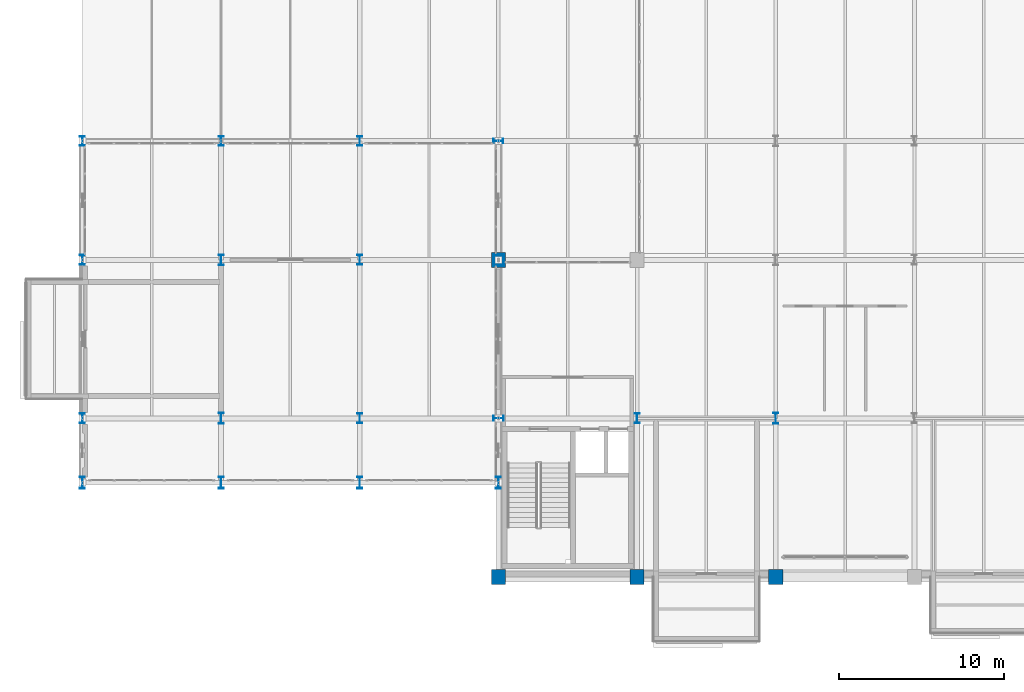
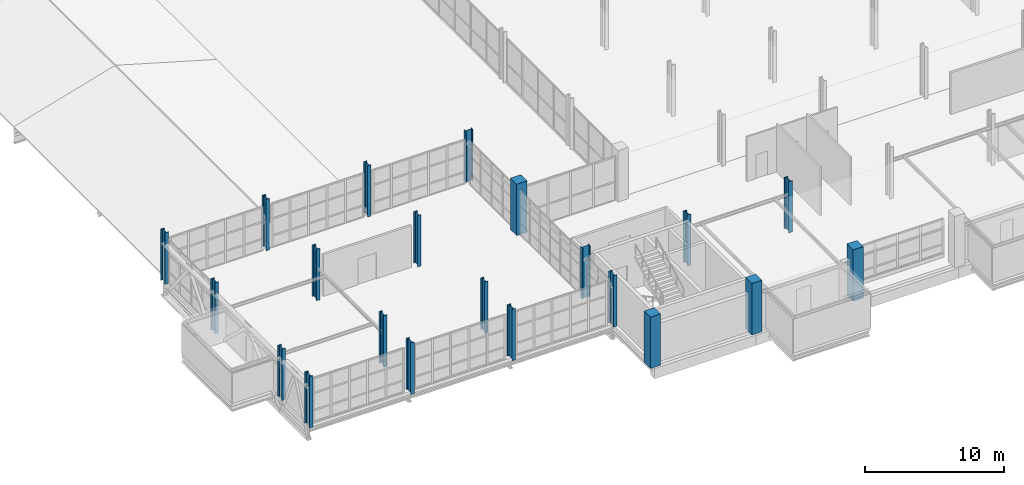
# One storey, part 1 of 130: 21 columns.
"""IFC4 building model written with IfcOpenShell, lengths in metres."""

import ifcopenshell
import ifcopenshell.guid

model = None  # the IFC model being written
_history = None  # IfcOwnerHistory: only IFC2X3 demands one
_inside = {}  # id of a spatial element -> (the spatial element, [elements in it])
_under = {}  # id of a project, library or spatial element -> (it, [spatial elements below it])
_declared = {}  # id of a project -> (the project, [libraries it declares])
_typed = {}  # id of a type object -> (the type object, [elements of that type])
_made_of = {}  # id of a material, layer set ... -> (it, [elements and type objects made of it])


def new_model(schema):
    """Start an empty IFC model of exactly this schema.

    Asked for "IFC4X3", IfcOpenShell would pick the latest addendum, in which some entities
    have other attributes; the version numbers below select the first issue.
    IFC2X3 requires an IfcOwnerHistory on every rooted entity: one is made here for all.
    """
    global model, _history
    if schema == "IFC4X3":
        model = ifcopenshell.file(schema_version=(4, 3, 0, 0))
    else:
        model = ifcopenshell.file(schema=schema)
    _inside.clear()
    _under.clear()
    _declared.clear()
    _typed.clear()
    _made_of.clear()
    _history = None
    if model.schema == "IFC2X3":
        org = make("IfcOrganization", Name="unknown")
        user = make(
            "IfcPersonAndOrganization",
            ThePerson=make("IfcPerson", FamilyName="unknown"),
            TheOrganization=org,
        )
        app = make(
            "IfcApplication",
            ApplicationDeveloper=org,
            Version="unknown",
            ApplicationFullName="unknown",
            ApplicationIdentifier="unknown",
        )
        _history = make(
            "IfcOwnerHistory",
            OwningUser=user,
            OwningApplication=app,
            ChangeAction="ADDED",
            CreationDate=0,
        )
    return model


def make(cls, **values):
    """One entity of the class cls with the attributes given. An attribute that is None is left unset."""
    return model.create_entity(
        cls, **{name: value for name, value in values.items() if value is not None}
    )


def rooted(cls, **values):
    """An entity with a GlobalId (a new one), such as an element, a storey or a relation."""
    return make(cls, GlobalId=ifcopenshell.guid.new(), OwnerHistory=_history, **values)


def si_unit(unit_type, name, prefix=None):
    """IfcSIUnit, for example si_unit("LENGTHUNIT", "METRE", prefix="MILLI")."""
    return make("IfcSIUnit", UnitType=unit_type, Prefix=prefix, Name=name)


def assignment(units):
    """IfcUnitAssignment: the units of a project."""
    return None if units is None else make("IfcUnitAssignment", Units=units)


def point(xyz):
    """IfcCartesianPoint."""
    return None if xyz is None else make("IfcCartesianPoint", Coordinates=xyz)


def direction(xyz):
    """IfcDirection."""
    return None if xyz is None else make("IfcDirection", DirectionRatios=xyz)


def frame(location, z_axis=None, x_axis=None):
    """IfcAxis2Placement3D, a coordinate frame: its origin and axes. An axis left out is left unset."""
    return make(
        "IfcAxis2Placement3D",
        Location=point(location),
        Axis=direction(z_axis),
        RefDirection=direction(x_axis),
    )


def frame_2d(location, x_axis=None):
    """IfcAxis2Placement2D, a coordinate frame in the plane: its origin and x axis."""
    return make(
        "IfcAxis2Placement2D", Location=point(location), RefDirection=direction(x_axis)
    )


def origin():
    """The frame at (0, 0, 0) with its axes left unset."""
    return frame((0.0, 0.0, 0.0))


def origin_2d():
    """The frame at (0, 0) in the plane with its x axis left unset."""
    return frame_2d((0.0, 0.0))


def place(relative_to, where):
    """IfcLocalPlacement: puts the frame where relative to a parent placement (None: the world)."""
    return make(
        "IfcLocalPlacement", PlacementRelTo=relative_to, RelativePlacement=where
    )


def context(
    kind, dimensions, precision=None, world=None, true_north=None, identifier=None
):
    """IfcGeometricRepresentationContext, for example the 3D "Model" context."""
    return make(
        "IfcGeometricRepresentationContext",
        ContextIdentifier=identifier,
        ContextType=kind,
        CoordinateSpaceDimension=dimensions,
        Precision=precision,
        WorldCoordinateSystem=world,
        TrueNorth=true_north,
    )


def subcontext(parent, identifier, kind, view, scale=None):
    """IfcGeometricRepresentationSubContext, for example "Body" below "Model"."""
    return make(
        "IfcGeometricRepresentationSubContext",
        ContextIdentifier=identifier,
        ContextType=kind,
        ParentContext=parent,
        TargetScale=scale,
        TargetView=view,
    )


def project(units=None, contexts=None):
    """IfcProject with its units and contexts."""
    return rooted(
        "IfcProject",
        Name="project",
        RepresentationContexts=contexts,
        UnitsInContext=assignment(units),
    )


def spatial(cls, under=None, at=None, **own):
    """A site, building, storey or space (cls), placed at a placement, below another one or the project."""
    s = rooted(cls, ObjectPlacement=at, **own)
    if under is not None:
        _under.setdefault(under.id(), (under, []))[1].append(s)
    return s


def profile(cls, at=None, kind="AREA", **sizes):
    """A parametric profile (cls). Its sizes go by their IFC names, for example OverallWidth=200.0."""
    return make(cls, ProfileType=kind, Position=at, **sizes)


def rectangle(**sizes):
    """IfcRectangleProfileDef."""
    return profile("IfcRectangleProfileDef", **sizes)


def i_section(**sizes):
    """IfcIShapeProfileDef."""
    return profile("IfcIShapeProfileDef", **sizes)


def extrude(swept, where, along, depth):
    """IfcExtrudedAreaSolid: the profile swept, set in the frame where, extruded along a direction by depth."""
    return make(
        "IfcExtrudedAreaSolid",
        SweptArea=swept,
        Position=where,
        ExtrudedDirection=direction(along),
        Depth=depth,
    )


def shape(context_of_items, identifier, shape_type, items):
    """IfcShapeRepresentation: the items that make up one representation, for example the "Body"."""
    return make(
        "IfcShapeRepresentation",
        ContextOfItems=context_of_items,
        RepresentationIdentifier=identifier,
        RepresentationType=shape_type,
        Items=items,
    )


def material(Name=None, Category=None):
    """IfcMaterial."""
    return make("IfcMaterial", Name=Name, Category=Category)


def material_profile(
    of_material, cross_section, Name=None, Category=None, Priority=None
):
    """IfcMaterialProfile: a cross section and its material."""
    return make(
        "IfcMaterialProfile",
        Name=Name,
        Material=of_material,
        Profile=cross_section,
        Priority=Priority,
        Category=Category,
    )


def profile_set(profiles, Name=None, composite=None):
    """IfcMaterialProfileSet."""
    return make(
        "IfcMaterialProfileSet",
        Name=Name,
        MaterialProfiles=profiles,
        CompositeProfile=composite,
    )


def made_of(thing, what):
    """Note that an element or type object is made of a material, layer set ...; save() writes the relation."""
    if what is not None:
        _made_of.setdefault(what.id(), (what, []))[1].append(thing)
    return thing


def type_object(cls, material=None, **own):
    """A type object (cls), such as IfcWallType, which elements share."""
    return made_of(rooted(cls, **own), material)


def element(
    cls,
    number,
    at=None,
    inside=None,
    cuts=None,
    type_object=None,
    material=None,
    context=None,
    identifier="Body",
    shape_type=None,
    held_by="IfcProductDefinitionShape",
    body=None,
    shapes=None,
    **own,
):
    """One element of the class cls, such as IfcWall. Its Tag is "e" and its number.

    at: its placement. inside: the storey or other place that contains it. cuts: it is an
    opening in that element (IfcRelVoidsElement). A single representation is given by context,
    identifier, shape_type and body (its items); several are given by shapes. held_by: the class
    of the entity that holds the representations. save() writes the other relations.
    """
    e = rooted(cls, Tag="e%d" % number, ObjectPlacement=at, **own)
    if body is not None:
        shapes = [shape(context, identifier, shape_type, body)]
    if shapes is not None:
        e.Representation = make(held_by, Representations=shapes)
    if inside is not None:
        _inside.setdefault(inside.id(), (inside, []))[1].append(e)
    if cuts is not None:
        rooted(
            "IfcRelVoidsElement", RelatingBuildingElement=cuts, RelatedOpeningElement=e
        )
    if type_object is not None:
        _typed.setdefault(type_object.id(), (type_object, []))[1].append(e)
    return made_of(e, material)


def aggregate(whole, parts):
    """IfcRelAggregates: a whole, such as a stair, and the parts it consists of."""
    return rooted("IfcRelAggregates", RelatingObject=whole, RelatedObjects=parts)


def save(model, path):
    """Write the relations noted so far, then the file.

    IfcRelAggregates (storeys below a building ...), IfcRelContainedInSpatialStructure (elements
    in a storey), IfcRelDefinesByType, IfcRelAssociatesMaterial and IfcRelDeclares: one each for
    every whole, place, type object, material and project.
    """
    for whole, parts in _under.values():
        aggregate(whole, parts)
    for where, things in _inside.values():
        rooted(
            "IfcRelContainedInSpatialStructure",
            RelatedElements=things,
            RelatingStructure=where,
        )
    for kind, things in _typed.values():
        rooted("IfcRelDefinesByType", RelatedObjects=things, RelatingType=kind)
    for what, things in _made_of.values():
        rooted("IfcRelAssociatesMaterial", RelatedObjects=things, RelatingMaterial=what)
    for by, libraries in _declared.values():
        rooted("IfcRelDeclares", RelatingContext=by, RelatedDefinitions=libraries)
    model.write(path)


model = new_model("IFC4")

# Units and contexts
model_context = context("Model", 3, precision=1e-05, world=origin(), true_north=direction((0.0, 1.0)))
body_context = subcontext(model_context, "Body", "Model", "MODEL_VIEW")
ifc_project = project(units=[si_unit("LENGTHUNIT", "METRE"), si_unit("AREAUNIT", "SQUARE_METRE"), si_unit("VOLUMEUNIT", "CUBIC_METRE"), si_unit("PLANEANGLEUNIT", "RADIAN"), si_unit("MASSUNIT", "GRAM", prefix="KILO")], contexts=[model_context])

# Site, building, storey
site_placement = place(None, origin())
site = spatial("IfcSite", under=ifc_project, at=site_placement, CompositionType="ELEMENT")
building_placement = place(site_placement, origin())
building = spatial("IfcBuilding", under=site, at=building_placement, Name="Veltarok Museum of Natural Sciences", CompositionType="ELEMENT")
storey_placement = place(building_placement, frame((0.0, 0.0, 12.89990234375)))
storey = spatial("IfcBuildingStorey", under=building, at=storey_placement, Name="L02", CompositionType="ELEMENT", Elevation=12.89990234375)

# Columns
ifc_material_1 = material(Name="Concrete C40/50", Category="concrete")
ifc_material_profile_1 = material_profile(ifc_material_1, rectangle(XDim=0.85009765625, YDim=0.89990234375, at=origin_2d()), Name="RC 850x900")
ifc_profile_set_1 = profile_set([ifc_material_profile_1], Name="Concrete C40/50")
column_type_1 = type_object("IfcColumnType", Name="Exposed Cabinet Grid Column RC 850x900", PredefinedType="COLUMN", material=ifc_profile_set_1)
for number, where, z_axis, x_axis, name in (
    (1, (31.60009765625, 0.0, 0.0), (0.0, 0.0, 1.0), (1.0, 0.0, 0.0), "Column COL-CAB01 L02 4/A"),
    (2, (31.60009765625, 19.199951171875, 0.0), (0.0, 0.0, 1.0), (1.0, 0.0, 0.0), "Column COL-CAB01 L02 4/C"),
    (3, (40.0, 0.0, 0.0), (0.0, 0.0, 1.0), (1.0, 0.0, 0.0), "Column COL-CAB01 L02 5/A"),
    (4, (48.39990234375, 0.0, 0.0), (0.0, 0.0, 1.0), (1.0, 0.0, 0.0), "Column COL-CAB01 L02 6/A"),
):
    element("IfcColumn", number, at=place(storey_placement, frame(where, z_axis=z_axis, x_axis=x_axis)), inside=storey, type_object=column_type_1, Name=name, PredefinedType="COLUMN", context=body_context, shape_type="SweptSolid", body=[
        extrude(rectangle(XDim=0.85009765625, YDim=0.89990234375, at=origin_2d()), origin(), (0.0, 0.0, 1.0), 4.5),
    ])
ifc_material_2 = material(Name="Steel S355J2", Category="steel")
ifc_material_profile_2 = material_profile(ifc_material_2, i_section(OverallWidth=0.300048828125, OverallDepth=0.60009765625, WebThickness=0.015380859375, FlangeThickness=0.030029296875, FilletRadius=0.027099609375, at=origin_2d()), Name="HEB 600")
ifc_profile_set_2 = profile_set([ifc_material_profile_2], Name="Steel S355J2")
column_type_2 = type_object("IfcColumnType", Name="Gallery Frame Column HEB 600", PredefinedType="COLUMN", material=ifc_profile_set_2)
for number, where, z_axis, x_axis, name in (
    (5, (23.199951171875, 9.60009765625, 0.0), (0.0, 0.0, 1.0), (1.0, 0.0, 0.0), "Column COL-S04 L02 3/B"),
    (6, (23.199951171875, 19.199951171875, 0.0), (0.0, 0.0, 1.0), (1.0, 0.0, 0.0), "Column COL-S04 L02 3/C"),
    (7, (40.0, 9.60009765625, 0.0), (0.0, 0.0, 1.0), (1.0, 0.0, 0.0), "Column COL-S04 L02 5/B"),
):
    element("IfcColumn", number, at=place(storey_placement, frame(where, z_axis=z_axis, x_axis=x_axis)), inside=storey, type_object=column_type_2, Name=name, PredefinedType="COLUMN", context=body_context, shape_type="SweptSolid", body=[
        extrude(i_section(OverallWidth=0.300048828125, OverallDepth=0.60009765625, WebThickness=0.015380859375, FlangeThickness=0.030029296875, FilletRadius=0.027099609375, at=origin_2d()), origin(), (0.0, 0.0, 1.0), 4.5),
    ])
ifc_material_profile_3 = material_profile(ifc_material_2, i_section(OverallWidth=0.300048828125, OverallDepth=0.64990234375, WebThickness=0.01611328125, FlangeThickness=0.031005859375, FilletRadius=0.027099609375, at=origin_2d()), Name="HEB 650")
ifc_profile_set_3 = profile_set([ifc_material_profile_3], Name="Steel S355J2")
column_type_3 = type_object("IfcColumnType", Name="Heavy Spine Column HEB 650", PredefinedType="COLUMN", material=ifc_profile_set_3)
for number, where, z_axis, x_axis, name in (
    (8, (14.800048828125, 9.60009765625, 0.0), (0.0, 0.0, 1.0), (1.0, 0.0, 0.0), "Column COL-S09 L02 2/B"),
    (9, (14.800048828125, 19.199951171875, 0.0), (0.0, 0.0, 1.0), (1.0, 0.0, 0.0), "Column COL-S09 L02 2/C"),
    (10, (31.60009765625, 9.60009765625, 0.0), (0.0, 0.0, 1.0), (0.0, 1.0, 0.0), "Column COL-S09 L02 4/B"),
    (11, (48.39990234375, 9.60009765625, 0.0), (0.0, 0.0, 1.0), (1.0, 0.0, 0.0), "Column COL-S09 L02 6/B"),
):
    element("IfcColumn", number, at=place(storey_placement, frame(where, z_axis=z_axis, x_axis=x_axis)), inside=storey, type_object=column_type_3, Name=name, PredefinedType="COLUMN", context=body_context, shape_type="SweptSolid", body=[
        extrude(i_section(OverallWidth=0.300048828125, OverallDepth=0.64990234375, WebThickness=0.01611328125, FlangeThickness=0.031005859375, FilletRadius=0.027099609375, at=origin_2d()), origin(), (0.0, 0.0, 1.0), 4.5),
    ])
ifc_material_profile_4 = material_profile(ifc_material_2, i_section(OverallWidth=0.300048828125, OverallDepth=0.60009765625, WebThickness=0.015380859375, FlangeThickness=0.030029296875, FilletRadius=0.027099609375, at=origin_2d()), Name="HEB 600")
ifc_profile_set_4 = profile_set([ifc_material_profile_4], Name="Steel S355J2")
column_type_4 = type_object("IfcColumnType", Name="Perimeter Passage Column HEB 600", PredefinedType="COLUMN", material=ifc_profile_set_4)
for number, where, z_axis, x_axis, name in (
    (12, (6.39990234375, 9.60009765625, 0.0), (0.0, 0.0, 1.0), (1.0, 0.0, 0.0), "Column COL-EXT02 L02 1/B"),
    (13, (6.39990234375, 19.199951171875, 0.0), (0.0, 0.0, 1.0), (1.0, 0.0, 0.0), "Column COL-EXT02 L02 1/C"),
    (14, (6.39990234375, 26.39990234375, 0.0), (0.0, 0.0, 1.0), (1.0, 0.0, 0.0), "Column COL-EXT02 L02 1/D"),
    (15, (14.800048828125, 26.39990234375, 0.0), (0.0, 0.0, 1.0), (1.0, 0.0, 0.0), "Column COL-EXT02 L02 2/D"),
    (16, (23.199951171875, 26.39990234375, 0.0), (0.0, 0.0, 1.0), (1.0, 0.0, 0.0), "Column COL-EXT02 L02 3/D"),
    (17, (31.60009765625, 26.39990234375, 0.0), (0.0, 0.0, 1.0), (0.0, 1.0, 0.0), "Column COL-EXT02 L02 4/D"),
):
    element("IfcColumn", number, at=place(storey_placement, frame(where, z_axis=z_axis, x_axis=x_axis)), inside=storey, type_object=column_type_4, Name=name, PredefinedType="COLUMN", context=body_context, shape_type="SweptSolid", body=[
        extrude(i_section(OverallWidth=0.300048828125, OverallDepth=0.60009765625, WebThickness=0.015380859375, FlangeThickness=0.030029296875, FilletRadius=0.027099609375, at=origin_2d()), origin(), (0.0, 0.0, 1.0), 4.5),
    ])
ifc_material_profile_5 = material_profile(ifc_material_2, i_section(OverallWidth=0.300048828125, OverallDepth=0.699951171875, WebThickness=0.01708984375, FlangeThickness=0.031982421875, FilletRadius=0.027099609375, at=origin_2d()), Name="HEB 700")
ifc_profile_set_5 = profile_set([ifc_material_profile_5], Name="Steel S355J2")
column_type_5 = type_object("IfcColumnType", Name="Perimeter Steel Column HEB 700", PredefinedType="COLUMN", material=ifc_profile_set_5)
for number, where, z_axis, x_axis, name in (
    (18, (6.39990234375, 5.699951171875, 0.0), (0.0, 0.0, 1.0), (1.0, 0.0, 0.0), "Bridge South Pier L02 1"),
    (19, (14.800048828125, 5.699951171875, 0.0), (0.0, 0.0, 1.0), (1.0, 0.0, 0.0), "Bridge South Pier L02 2"),
    (20, (23.199951171875, 5.699951171875, 0.0), (0.0, 0.0, 1.0), (1.0, 0.0, 0.0), "Bridge South Pier L02 3"),
    (21, (31.60009765625, 5.699951171875, 0.0), (0.0, 0.0, 1.0), (1.0, 0.0, 0.0), "Bridge South Pier L02 4"),
):
    element("IfcColumn", number, at=place(storey_placement, frame(where, z_axis=z_axis, x_axis=x_axis)), inside=storey, type_object=column_type_5, Name=name, PredefinedType="COLUMN", context=body_context, shape_type="SweptSolid", body=[
        extrude(i_section(OverallWidth=0.300048828125, OverallDepth=0.699951171875, WebThickness=0.01708984375, FlangeThickness=0.031982421875, FilletRadius=0.027099609375, at=origin_2d()), origin(), (0.0, 0.0, 1.0), 4.5),
    ])

save(model, "model.ifc")
